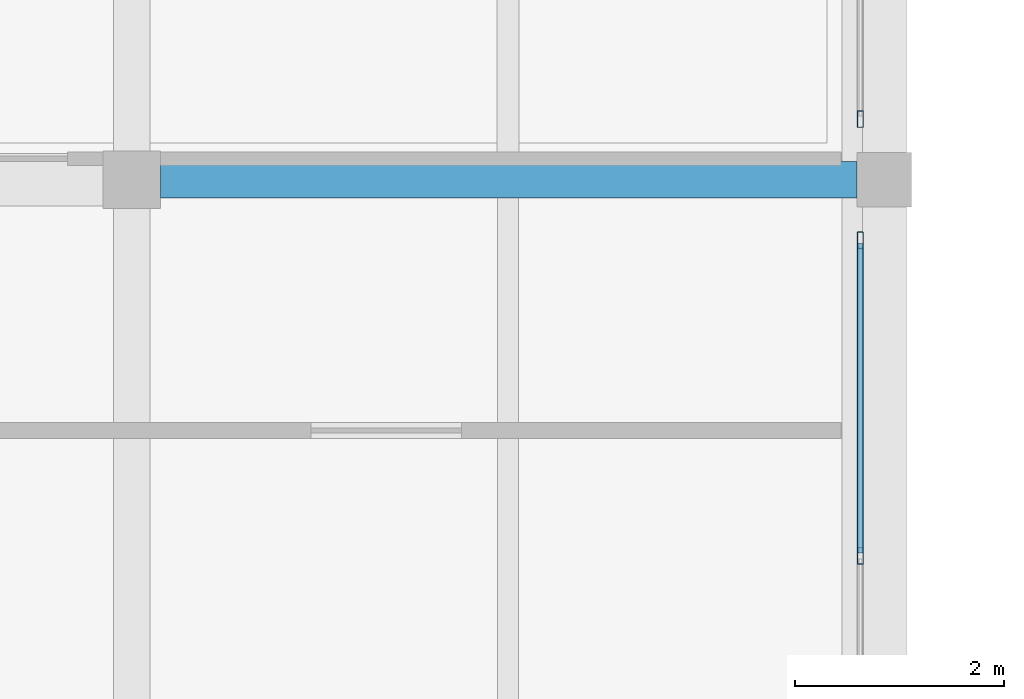
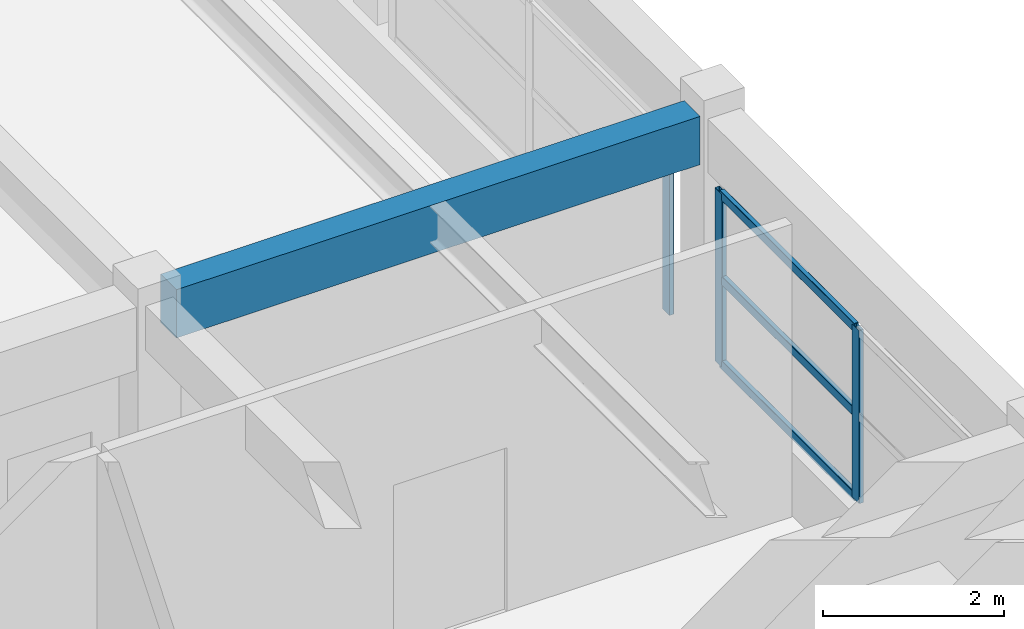
# One storey, part 8 of 67: 6 members, 1 beam, 2 elements without a shape of their own.
"""IFC4 building model written with IfcOpenShell, lengths in metres."""

from ifc_helpers import new_model, si_unit, direction, frame, origin, origin_2d, place, context, subcontext, project, spatial, rectangle, hollow_rectangle, extrude, material, material_profile, profile_set, type_object, element, aggregate, save


model = new_model("IFC4")

# Units and contexts
model_context = context("Model", 3, precision=1e-05, world=origin(), true_north=direction((0.0, 1.0)))
body_context = subcontext(model_context, "Body", "Model", "MODEL_VIEW")
ifc_project = project(units=[si_unit("LENGTHUNIT", "METRE"), si_unit("AREAUNIT", "SQUARE_METRE"), si_unit("VOLUMEUNIT", "CUBIC_METRE"), si_unit("PLANEANGLEUNIT", "RADIAN"), si_unit("MASSUNIT", "GRAM", prefix="KILO")], contexts=[model_context])

# Site, building, storey
site_placement = place(None, origin())
site = spatial("IfcSite", under=ifc_project, at=site_placement, CompositionType="ELEMENT")
building_placement = place(site_placement, origin())
building = spatial("IfcBuilding", under=site, at=building_placement, Name="Bramveld Media Centre", CompositionType="ELEMENT")
storey_placement = place(building_placement, frame((0.0, 0.0, 5.39990234375)))
storey = spatial("IfcBuildingStorey", under=building, at=storey_placement, Name="L01", CompositionType="ELEMENT", Elevation=5.39990234375)

# Beam
ifc_material_1 = material(Name="Concrete C40/50", Category="concrete")
ifc_material_profile_1 = material_profile(ifc_material_1, rectangle(XDim=0.35009765625, YDim=0.64990234375, at=origin_2d()), Name="RC 350x650")
ifc_profile_set_1 = profile_set([ifc_material_profile_1], Name="Concrete C40/50")
beam_type = type_object("IfcBeamType", Name="BM-INT-RC-350x650", PredefinedType="BEAM", material=ifc_profile_set_1)
beam_placement = place(storey_placement, frame((29.074951171875, 46.39990234375, 3.614990234375), z_axis=(1.0, 0.0, 0.0), x_axis=(0.0, 1.0, 0.0)))
element("IfcBeam", 1, at=beam_placement, inside=storey, type_object=beam_type, Name="V3 L01 girder X-266", PredefinedType="BEAM", context=body_context, shape_type="SweptSolid", body=[
    extrude(rectangle(XDim=0.35009765625, YDim=0.64990234375, at=origin_2d()), origin(), (0.0, 0.0, 1.0), 6.6650390625),
])

# Curtain wall, members
ifc_material_2 = material(Name="Thermally broken anodized bronze aluminium unitized curtain wall with solar-control triple glazing", Category="aluminium")
curtain_wall_type = type_object("IfcCurtainWallType", Name="CW-FACV3-6100x2330", PredefinedType="NOTDEFINED", material=ifc_material_2)
curtain_wall_1_placement = place(storey_placement, origin())
curtain_wall_1 = element("IfcCurtainWall", 2, at=curtain_wall_1_placement, inside=storey, type_object=curtain_wall_type, Name="V3 L01 E curtain wall bay 1", PredefinedType="NOTDEFINED")
ifc_material_3 = material(Name="Thermally broken anodized bronze aluminium EN AW-6063 T6 curtain-wall framing", Category="aluminium")
ifc_material_profile_2 = material_profile(ifc_material_3, hollow_rectangle(XDim=0.06005859375, YDim=0.159912109375, WallThickness=0.00390625, InnerFilletRadius=0.00390625, OuterFilletRadius=0.008056640625, at=origin_2d()), Name="AL-MULL 60x160")
ifc_profile_set_2 = profile_set([ifc_material_profile_2], Name="Thermally broken anodized bronze aluminium EN AW-6063 T6 curtain-wall framing")
member_type_1 = type_object("IfcMemberType", Name="CW-MULL-EXT", PredefinedType="MULLION", material=ifc_profile_set_2)
member_1_placement = place(storey_placement, frame((35.77001953125, 42.800048828125, 0.85009765625), z_axis=(0.0, 0.0, 1.0), x_axis=(-1.0, 0.0, 0.0)))
member_1 = element("IfcMember", 3, at=member_1_placement, type_object=member_type_1, Name="CW-FA-6123 mullion 2", PredefinedType="MULLION", context=body_context, shape_type="SweptSolid", body=[
    extrude(hollow_rectangle(XDim=0.06005859375, YDim=0.159912109375, WallThickness=0.00390625, InnerFilletRadius=0.00390625, OuterFilletRadius=0.008056640625, at=origin_2d()), origin(), (0.0, 0.0, 1.0), 2.330078125),
])
member_2_placement = place(storey_placement, frame((35.77001953125, 45.820068359375, 0.85009765625), z_axis=(0.0, 0.0, 1.0), x_axis=(-1.0, 0.0, 0.0)))
member_2 = element("IfcMember", 4, at=member_2_placement, type_object=member_type_1, Name="CW-FA-6123 mullion 3", PredefinedType="MULLION", context=body_context, shape_type="SweptSolid", body=[
    extrude(hollow_rectangle(XDim=0.06005859375, YDim=0.159912109375, WallThickness=0.00390625, InnerFilletRadius=0.00390625, OuterFilletRadius=0.008056640625, at=origin_2d()), origin(), (0.0, 0.0, 1.0), 2.330078125),
])

# Curtain wall, member
curtain_wall_2_placement = place(storey_placement, origin())
curtain_wall_2 = element("IfcCurtainWall", 5, at=curtain_wall_2_placement, inside=storey, type_object=curtain_wall_type, Name="V3 L01 E curtain wall bay 2", PredefinedType="NOTDEFINED")
member_3_placement = place(storey_placement, frame((35.77001953125, 46.97998046875, 0.85009765625), z_axis=(0.0, 0.0, 1.0), x_axis=(-1.0, 0.0, 0.0)))
member_3 = element("IfcMember", 6, at=member_3_placement, type_object=member_type_1, Name="CW-FA-6123 mullion 1", PredefinedType="MULLION", context=body_context, shape_type="SweptSolid", body=[
    extrude(hollow_rectangle(XDim=0.06005859375, YDim=0.159912109375, WallThickness=0.00390625, InnerFilletRadius=0.00390625, OuterFilletRadius=0.008056640625, at=origin_2d()), origin(), (0.0, 0.0, 1.0), 2.330078125),
])
aggregate(curtain_wall_2, [member_3])

# Member
ifc_material_4 = material(Name="Thermally broken anodized bronze aluminium EN AW-6063 T6 curtain-wall framing", Category="aluminium")
ifc_material_profile_3 = material_profile(ifc_material_4, hollow_rectangle(XDim=0.06005859375, YDim=0.1201171875, WallThickness=0.00341796875, InnerFilletRadius=0.00341796875, OuterFilletRadius=0.007080078125, at=origin_2d()), Name="AL-TRAN 60x120")
ifc_profile_set_3 = profile_set([ifc_material_profile_3], Name="Thermally broken anodized bronze aluminium EN AW-6063 T6 curtain-wall framing")
member_type_2 = type_object("IfcMemberType", Name="CW-TRAN-EXT", PredefinedType="USERDEFINED", material=ifc_profile_set_3)
member_4_placement = place(storey_placement, frame((35.77001953125, 42.830078125, 0.880126953125), z_axis=(0.0, 1.0, 0.0), x_axis=(-1.0, 0.0, 0.0)))
member_4 = element("IfcMember", 7, at=member_4_placement, type_object=member_type_2, Name="CW-FA-6123 transom 2.1", ObjectType="TRANSOM", PredefinedType="USERDEFINED", context=body_context, shape_type="SweptSolid", body=[
    extrude(hollow_rectangle(XDim=0.06005859375, YDim=0.1201171875, WallThickness=0.00341796875, InnerFilletRadius=0.00341796875, OuterFilletRadius=0.007080078125, at=origin_2d()), origin(), (0.0, 0.0, 1.0), 2.9599609375),
])

member_5_placement = place(storey_placement, frame((35.77001953125, 42.830078125, 2.01513671875), z_axis=(0.0, 1.0, 0.0), x_axis=(-1.0, 0.0, 0.0)))
member_5 = element("IfcMember", 8, at=member_5_placement, type_object=member_type_2, Name="CW-FA-6123 transom 2.2", ObjectType="TRANSOM", PredefinedType="USERDEFINED", context=body_context, shape_type="SweptSolid", body=[
    extrude(hollow_rectangle(XDim=0.06005859375, YDim=0.1201171875, WallThickness=0.00341796875, InnerFilletRadius=0.00341796875, OuterFilletRadius=0.007080078125, at=origin_2d()), origin(), (0.0, 0.0, 1.0), 2.9599609375),
])

member_6_placement = place(storey_placement, frame((35.77001953125, 42.830078125, 3.150146484375), z_axis=(0.0, 1.0, 0.0), x_axis=(-1.0, 0.0, 0.0)))
member_6 = element("IfcMember", 9, at=member_6_placement, type_object=member_type_2, Name="CW-FA-6123 transom 2.3", ObjectType="TRANSOM", PredefinedType="USERDEFINED", context=body_context, shape_type="SweptSolid", body=[
    extrude(hollow_rectangle(XDim=0.06005859375, YDim=0.1201171875, WallThickness=0.00341796875, InnerFilletRadius=0.00341796875, OuterFilletRadius=0.007080078125, at=origin_2d()), origin(), (0.0, 0.0, 1.0), 2.9599609375),
])

aggregate(curtain_wall_1, [member_1, member_2, member_4, member_5, member_6])

save(model, "model.ifc")
